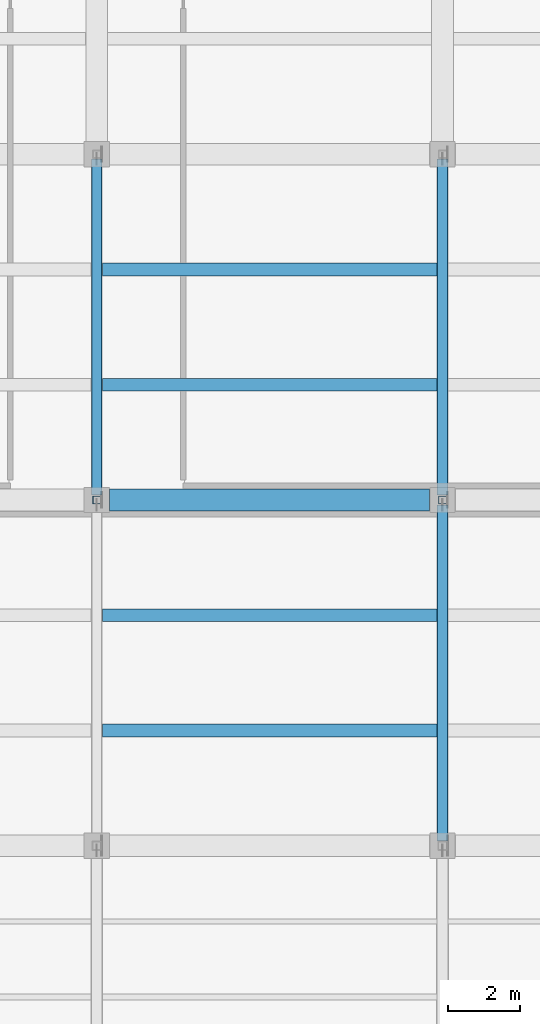
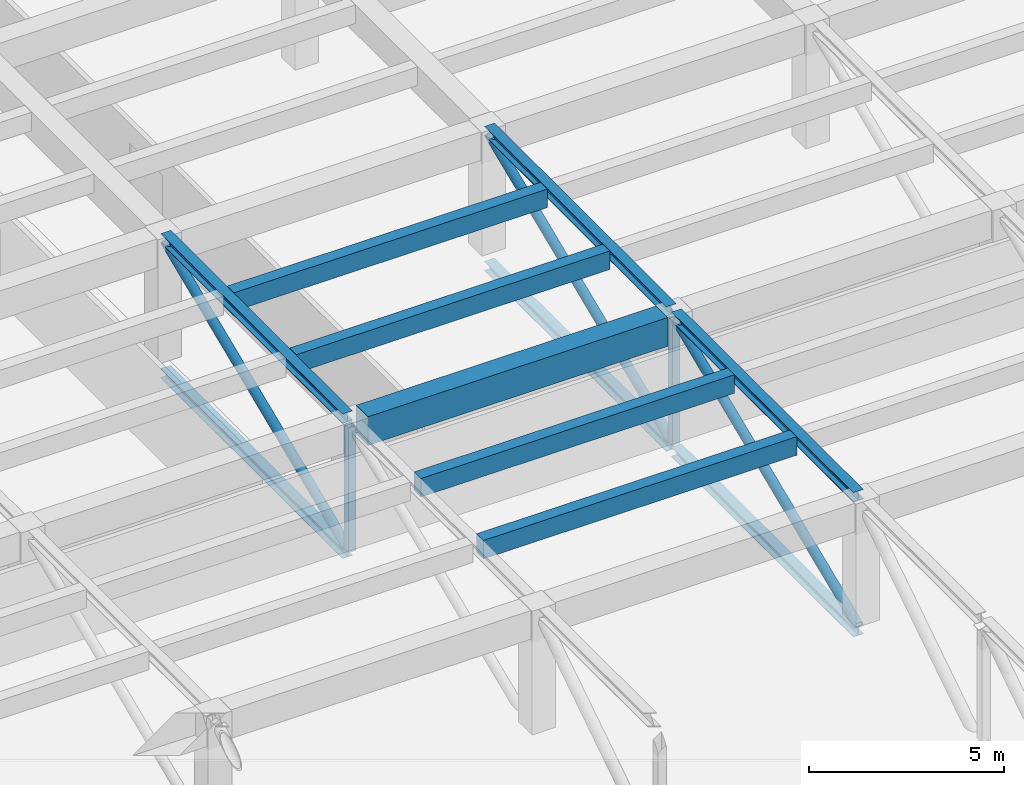
# One storey, part 12 of 62: 11 members, 5 beams.
"""IFC4 building model written with IfcOpenShell, lengths in metres."""

from ifc_helpers import new_model, si_unit, direction, frame, origin, origin_2d, place, context, subcontext, project, spatial, rectangle, hollow_rectangle, hollow_circle, i_section, extrude, material, material_profile, profile_set, type_object, element, save


model = new_model("IFC4")

# Units and contexts
model_context = context("Model", 3, precision=1e-05, world=origin(), true_north=direction((0.0, 1.0)))
body_context = subcontext(model_context, "Body", "Model", "MODEL_VIEW")
ifc_project = project(units=[si_unit("LENGTHUNIT", "METRE"), si_unit("AREAUNIT", "SQUARE_METRE"), si_unit("VOLUMEUNIT", "CUBIC_METRE"), si_unit("PLANEANGLEUNIT", "RADIAN"), si_unit("MASSUNIT", "GRAM", prefix="KILO")], contexts=[model_context])

# Site, building, storey
site_placement = place(None, origin())
site = spatial("IfcSite", under=ifc_project, at=site_placement, CompositionType="ELEMENT")
building_placement = place(site_placement, origin())
building = spatial("IfcBuilding", under=site, at=building_placement, Name="Bempovik Park Faculty of Sciences", CompositionType="ELEMENT")
storey_placement = place(building_placement, frame((0.0, 0.0, 9.89990234375)))
storey = spatial("IfcBuildingStorey", under=building, at=storey_placement, Name="L02", CompositionType="ELEMENT", Elevation=9.89990234375)

# Beams
ifc_material_1 = material(Name="Concrete C35/45", Category="concrete")
ifc_material_profile_1 = material_profile(ifc_material_1, rectangle(XDim=0.35009765625, YDim=0.580078125, at=origin_2d()), Name="RC 350x580")
ifc_profile_set_1 = profile_set([ifc_material_profile_1], Name="Concrete C35/45")
beam_type_1 = type_object("IfcBeamType", Name="B-107 RC 350x580", PredefinedType="JOIST", material=ifc_profile_set_1)
for number, where, z_axis, x_axis, name in (
    (1, (88.9560546875, 23.0, 3.610107421875), (1.0, 0.0, 0.0), (0.0, 1.0, 0.0), "L02 Secondary Joist (88.8-98.4, y=23.00)"),
    (2, (88.9560546875, 26.199951171875, 3.610107421875), (1.0, 0.0, 0.0), (0.0, 1.0, 0.0), "L02 Secondary Joist (88.8-98.4, y=26.20)"),
    (3, (88.9560546875, 32.60009765625, 3.610107421875), (1.0, 0.0, 0.0), (0.0, 1.0, 0.0), "L02 Secondary Joist (88.8-98.4, y=32.60)"),
    (4, (88.9560546875, 35.800048828125, 3.610107421875), (1.0, 0.0, 0.0), (0.0, 1.0, 0.0), "L02 Secondary Joist (88.8-98.4, y=35.80)"),
):
    element("IfcBeam", number, at=place(storey_placement, frame(where, z_axis=z_axis, x_axis=x_axis)), inside=storey, type_object=beam_type_1, Name=name, PredefinedType="JOIST", context=body_context, shape_type="SweptSolid", body=[
        extrude(rectangle(XDim=0.35009765625, YDim=0.580078125, at=origin_2d()), origin(), (0.0, 0.0, 1.0), 9.287841796875),
    ])
ifc_material_2 = material(Name="Concrete C40/50", Category="concrete")
ifc_material_profile_2 = material_profile(ifc_material_2, rectangle(XDim=0.60009765625, YDim=0.89990234375, at=origin_2d()), Name="RC 600x900")
ifc_profile_set_2 = profile_set([ifc_material_profile_2], Name="Concrete C40/50")
beam_type_2 = type_object("IfcBeamType", Name="B-115 RC 600x900", PredefinedType="BEAM", material=ifc_profile_set_2)
beam_placement = place(storey_placement, frame((89.156005859375, 29.39990234375, 3.4501953125), z_axis=(1.0, 0.0, 0.0), x_axis=(0.0, 1.0, 0.0)))
element("IfcBeam", 5, at=beam_placement, inside=storey, type_object=beam_type_2, Name="L02 Beam X (88.8-98.4, y=29.4)", PredefinedType="BEAM", context=body_context, shape_type="SweptSolid", body=[
    extrude(rectangle(XDim=0.60009765625, YDim=0.89990234375, at=origin_2d()), origin(), (0.0, 0.0, 1.0), 8.887939453125),
])

# Members
ifc_material_3 = material(Name="Steel S355", Category="steel")
ifc_material_profile_3 = material_profile(ifc_material_3, hollow_rectangle(XDim=0.219970703125, YDim=0.219970703125, WallThickness=0.010009765625, at=origin_2d()), Name="SHS 220x220x10")
ifc_profile_set_3 = profile_set([ifc_material_profile_3], Name="Steel S355")
member_type_1 = type_object("IfcMemberType", Name="M-32 SHS 220x220x10", PredefinedType="POST", material=ifc_profile_set_3)
for number, where, z_axis, x_axis, name in (
    (6, (88.800048828125, 29.39990234375, -0.31396484375), (0.0, 0.0, 1.0), (1.0, 0.0, 0.0), "Cantilever Truss 4 L02 Post 4"),
    (7, (98.39990234375, 29.39990234375, -0.31396484375), (0.0, 0.0, 1.0), (1.0, 0.0, 0.0), "Cantilever Truss 5 L02 Post 4"),
):
    element("IfcMember", number, at=place(storey_placement, frame(where, z_axis=z_axis, x_axis=x_axis)), inside=storey, type_object=member_type_1, Name=name, PredefinedType="POST", context=body_context, shape_type="SweptSolid", body=[
        extrude(hollow_rectangle(XDim=0.219970703125, YDim=0.219970703125, WallThickness=0.010009765625, at=origin_2d()), origin(), (0.0, 0.0, 1.0), 3.907958984375),
    ])
ifc_material_profile_4 = material_profile(ifc_material_3, i_section(OverallWidth=0.300048828125, OverallDepth=0.300048828125, WebThickness=0.010986328125, FlangeThickness=0.01904296875, at=origin_2d()), Name="HEB 300")
ifc_profile_set_4 = profile_set([ifc_material_profile_4], Name="Steel S355")
member_type_2 = type_object("IfcMemberType", Name="M-55 HEB 300", PredefinedType="CHORD", material=ifc_profile_set_4)
for number, where, z_axis, x_axis, name in (
    (8, (88.800048828125, 29.531982421875, -0.47998046875), (0.0, 1.0, 0.0), (-1.0, 0.0, 0.0), "Cantilever Truss 4 Bottom Chord 4"),
    (9, (88.800048828125, 29.531982421875, 3.75), (0.0, 1.0, 0.0), (-1.0, 0.0, 0.0), "Cantilever Truss 4 Mid Tie 4"),
):
    element("IfcMember", number, at=place(storey_placement, frame(where, z_axis=z_axis, x_axis=x_axis)), inside=storey, type_object=member_type_2, Name=name, PredefinedType="CHORD", context=body_context, shape_type="SweptSolid", body=[
        extrude(i_section(OverallWidth=0.300048828125, OverallDepth=0.300048828125, WebThickness=0.010986328125, FlangeThickness=0.01904296875, at=origin_2d()), origin(), (0.0, 0.0, 1.0), 9.3359375),
    ])
for number, where, z_axis, x_axis, name in (
    (10, (98.39990234375, 19.931884765625, -0.47998046875), (0.0, 1.0, 0.0), (-1.0, 0.0, 0.0), "Cantilever Truss 5 Bottom Chord 3"),
    (11, (98.39990234375, 19.931884765625, 3.75), (0.0, 1.0, 0.0), (-1.0, 0.0, 0.0), "Cantilever Truss 5 Mid Tie 3"),
):
    element("IfcMember", number, at=place(storey_placement, frame(where, z_axis=z_axis, x_axis=x_axis)), inside=storey, type_object=member_type_2, Name=name, PredefinedType="CHORD", context=body_context, shape_type="SweptSolid", body=[
        extrude(i_section(OverallWidth=0.300048828125, OverallDepth=0.300048828125, WebThickness=0.010986328125, FlangeThickness=0.01904296875, at=origin_2d()), origin(), (0.0, 0.0, 1.0), 9.336181640625),
    ])
for number, where, z_axis, x_axis, name in (
    (12, (98.39990234375, 29.531982421875, -0.47998046875), (0.0, 1.0, 0.0), (-1.0, 0.0, 0.0), "Cantilever Truss 5 Bottom Chord 4"),
    (13, (98.39990234375, 29.531982421875, 3.75), (0.0, 1.0, 0.0), (-1.0, 0.0, 0.0), "Cantilever Truss 5 Mid Tie 4"),
):
    element("IfcMember", number, at=place(storey_placement, frame(where, z_axis=z_axis, x_axis=x_axis)), inside=storey, type_object=member_type_2, Name=name, PredefinedType="CHORD", context=body_context, shape_type="SweptSolid", body=[
        extrude(i_section(OverallWidth=0.300048828125, OverallDepth=0.300048828125, WebThickness=0.010986328125, FlangeThickness=0.01904296875, at=origin_2d()), origin(), (0.0, 0.0, 1.0), 9.3359375),
    ])
ifc_material_profile_5 = material_profile(ifc_material_3, hollow_circle(Radius=0.136474609375, WallThickness=0.012451171875, at=origin_2d()), Name="CHS 273x12.5")
ifc_profile_set_5 = profile_set([ifc_material_profile_5], Name="Steel S355")
member_type_3 = type_object("IfcMemberType", Name="M-78 CHS 273x12.5", PredefinedType="BRACE", material=ifc_profile_set_5)
member_1_placement = place(storey_placement, frame((88.800048828125, 29.534912109375, -0.31396484375), z_axis=(0.0, 0.922358398158, 0.386335327594), x_axis=(-1.0, 0.0, 0.0)))
element("IfcMember", 14, at=member_1_placement, inside=storey, type_object=member_type_3, Name="Cantilever Truss 4 L02 Diagonal 4", PredefinedType="BRACE", context=body_context, shape_type="SweptSolid", body=[
    extrude(hollow_circle(Radius=0.136474609375, WallThickness=0.012451171875, at=origin_2d()), origin(), (0.0, 0.0, 1.0), 10.115478515625),
])
member_2_placement = place(storey_placement, frame((98.39990234375, 19.93505859375, -0.31396484375), z_axis=(0.0, 0.922354795709, 0.386343928167), x_axis=(-1.0, 0.0, 0.0)))
element("IfcMember", 15, at=member_2_placement, inside=storey, type_object=member_type_3, Name="Cantilever Truss 5 L02 Diagonal 3", PredefinedType="BRACE", context=body_context, shape_type="SweptSolid", body=[
    extrude(hollow_circle(Radius=0.136474609375, WallThickness=0.012451171875, at=origin_2d()), origin(), (0.0, 0.0, 1.0), 10.115234375),
])
member_3_placement = place(storey_placement, frame((98.39990234375, 29.534912109375, -0.31396484375), z_axis=(0.0, 0.922358398158, 0.386335327594), x_axis=(-1.0, 0.0, 0.0)))
element("IfcMember", 16, at=member_3_placement, inside=storey, type_object=member_type_3, Name="Cantilever Truss 5 L02 Diagonal 4", PredefinedType="BRACE", context=body_context, shape_type="SweptSolid", body=[
    extrude(hollow_circle(Radius=0.136474609375, WallThickness=0.012451171875, at=origin_2d()), origin(), (0.0, 0.0, 1.0), 10.115478515625),
])

save(model, "model.ifc")
